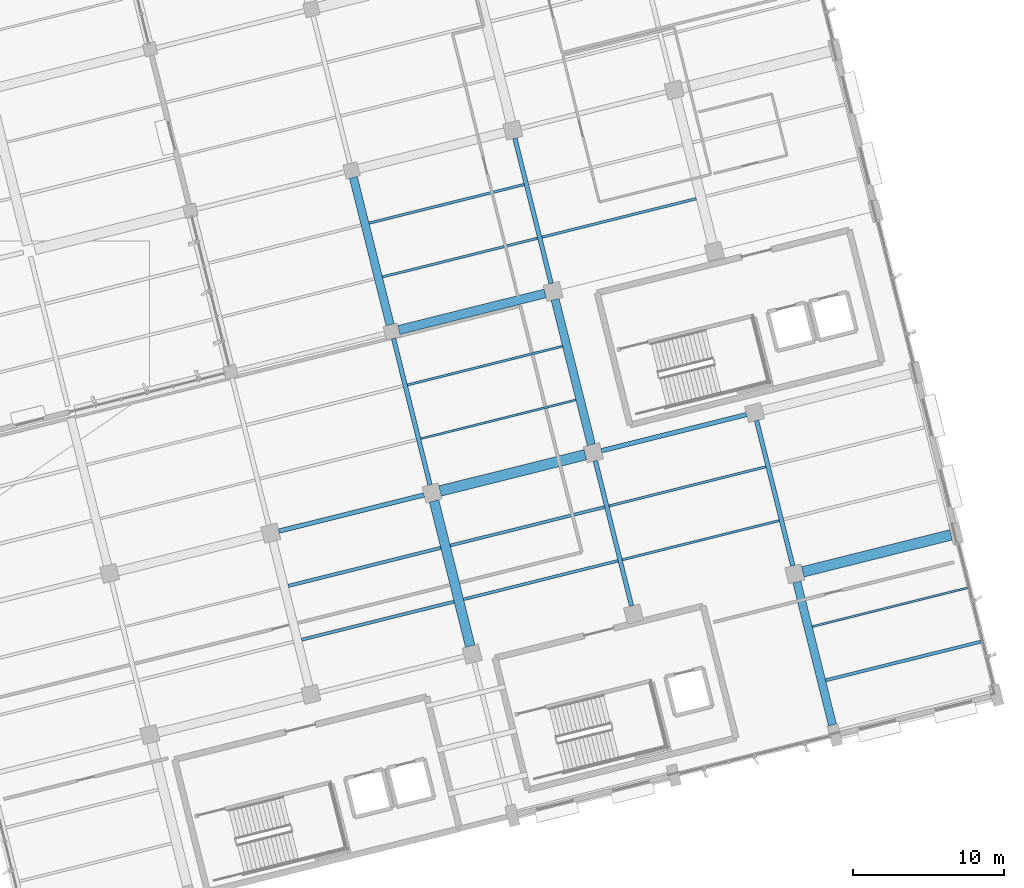
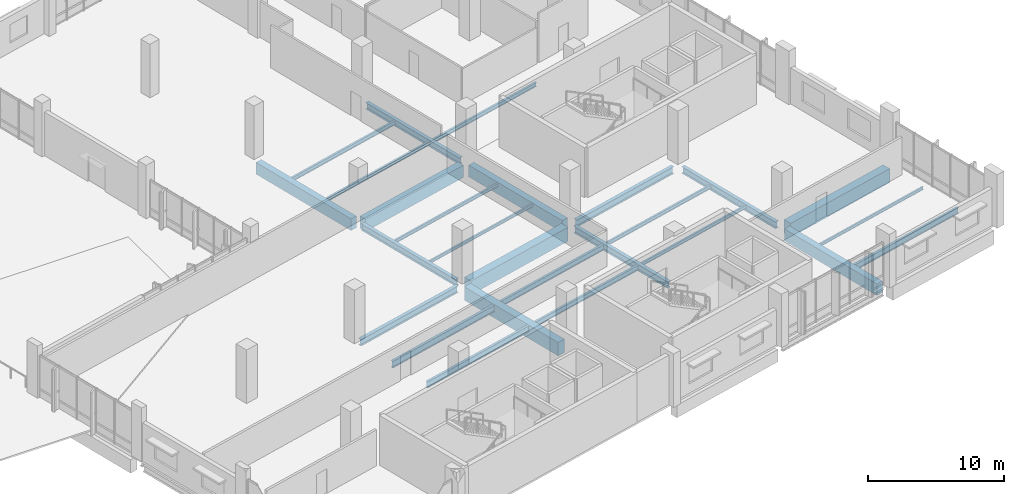
# One storey, part 78 of 137: 26 beams.
"""IFC4 building model written with IfcOpenShell, lengths in metres."""

from ifc_helpers import new_model, si_unit, direction, frame, origin, origin_2d, place, context, subcontext, project, spatial, rectangle, i_section, extrude, material, material_profile, profile_set, type_object, element, save


model = new_model("IFC4")

# Units and contexts
model_context = context("Model", 3, precision=1e-05, world=origin(), true_north=direction((0.0, 1.0)))
body_context = subcontext(model_context, "Body", "Model", "MODEL_VIEW")
ifc_project = project(units=[si_unit("LENGTHUNIT", "METRE"), si_unit("AREAUNIT", "SQUARE_METRE"), si_unit("VOLUMEUNIT", "CUBIC_METRE"), si_unit("PLANEANGLEUNIT", "RADIAN"), si_unit("MASSUNIT", "GRAM", prefix="KILO")], contexts=[model_context])

# Site, building, storey
site_placement = place(None, origin())
site = spatial("IfcSite", under=ifc_project, at=site_placement, CompositionType="ELEMENT")
building_placement = place(site_placement, origin())
building = spatial("IfcBuilding", under=site, at=building_placement, Name="Khorjan Park Terminus", CompositionType="ELEMENT")
storey_placement = place(building_placement, frame((0.0, 0.0, 11.4)))
storey = spatial("IfcBuildingStorey", under=building, at=storey_placement, Name="L02", CompositionType="ELEMENT", Elevation=11.4)

# Beams
ifc_material_1 = material(Name="Steel S355", Category="steel")
ifc_material_profile_1 = material_profile(ifc_material_1, i_section(OverallWidth=0.3, OverallDepth=0.59, WebThickness=0.013, FlangeThickness=0.025, FilletRadius=0.027, at=origin_2d()), Name="HEA 600")
ifc_profile_set_1 = profile_set([ifc_material_profile_1], Name="Steel S355")
beam_type_1 = type_object("IfcBeamType", Name="BM-HEA600", PredefinedType="BEAM", material=ifc_profile_set_1)
beam_1_placement = place(storey_placement, frame((182.553, 28.8006, -0.645), z_axis=(0.970294856426, 0.241925384349, 0.0), x_axis=(-0.241925384349, 0.970294856426, 0.0)))
element("IfcBeam", 1, at=beam_1_placement, inside=storey, type_object=beam_type_1, Name="Primary skew-grid floor girder SB-A60 (L02)", PredefinedType="BEAM", context=body_context, shape_type="SweptSolid", body=[
    extrude(i_section(OverallWidth=0.3, OverallDepth=0.59, WebThickness=0.013, FlangeThickness=0.025, FilletRadius=0.027, at=origin_2d()), origin(), (0.0, 0.0, 1.0), 9.9101),
])
beam_2_placement = place(storey_placement, frame((192.5656, 31.8587, -0.645), z_axis=(-0.241922892916, 0.970295477616, 0.0), x_axis=(-0.970295477616, -0.241922892916, 0.0)))
element("IfcBeam", 2, at=beam_2_placement, inside=storey, type_object=beam_type_1, Name="Primary skew-grid floor girder SB-A60 (L02)", PredefinedType="BEAM", context=body_context, shape_type="SweptSolid", body=[
    extrude(i_section(OverallWidth=0.3, OverallDepth=0.59, WebThickness=0.013, FlangeThickness=0.025, FilletRadius=0.027, at=origin_2d()), origin(), (0.0, 0.0, 1.0), 9.985),
])
beam_3_placement = place(storey_placement, frame((200.5777, 45.1931, -0.635), z_axis=(-0.241915884168, 0.970297225074, 0.0), x_axis=(-0.970297225074, -0.241915884168, 0.0)))
element("IfcBeam", 3, at=beam_3_placement, inside=storey, type_object=beam_type_1, Name="Primary skew-grid floor girder SB-A60 (L02)", PredefinedType="BEAM", context=body_context, shape_type="SweptSolid", body=[
    extrude(i_section(OverallWidth=0.3, OverallDepth=0.59, WebThickness=0.013, FlangeThickness=0.025, FilletRadius=0.027, at=origin_2d()), origin(), (0.0, 0.0, 1.0), 9.9101),
])
ifc_material_profile_2 = material_profile(ifc_material_1, i_section(OverallWidth=0.3, OverallDepth=0.64, WebThickness=0.0135, FlangeThickness=0.026, FilletRadius=0.027, at=origin_2d()), Name="HEA 650")
ifc_profile_set_2 = profile_set([ifc_material_profile_2], Name="Steel S355")
beam_type_2 = type_object("IfcBeamType", Name="BM-HEA650", PredefinedType="BEAM", material=ifc_profile_set_2)
beam_4_placement = place(storey_placement, frame((203.8995, 34.1229, -0.67), z_axis=(0.970294856426, 0.241925384349, 0.0), x_axis=(-0.241925384349, 0.970294856426, 0.0)))
element("IfcBeam", 4, at=beam_4_placement, inside=storey, type_object=beam_type_2, Name="Primary skew-grid floor girder SB-A65 (L02)", PredefinedType="BEAM", context=body_context, shape_type="SweptSolid", body=[
    extrude(i_section(OverallWidth=0.3, OverallDepth=0.64, WebThickness=0.0135, FlangeThickness=0.026, FilletRadius=0.027, at=origin_2d()), origin(), (0.0, 0.0, 1.0), 9.9101),
])
ifc_material_profile_3 = material_profile(ifc_material_1, i_section(OverallWidth=0.3, OverallDepth=0.6, WebThickness=0.0155, FlangeThickness=0.03, FilletRadius=0.027, at=origin_2d()), Name="HEB 600")
ifc_profile_set_3 = profile_set([ifc_material_profile_3], Name="Steel S355")
beam_type_3 = type_object("IfcBeamType", Name="BM-HEB600", PredefinedType="BEAM", material=ifc_profile_set_3)
beam_5_placement = place(storey_placement, frame((205.9, 23.8466, -0.65), z_axis=(-0.241915884168, 0.970297225074, 0.0), x_axis=(-0.970297225074, -0.241915884168, 0.0)))
element("IfcBeam", 5, at=beam_5_placement, inside=storey, type_object=beam_type_3, Name="Primary skew-grid floor girder SB-B60 (L02)", PredefinedType="BEAM", context=body_context, shape_type="SweptSolid", body=[
    extrude(i_section(OverallWidth=0.3, OverallDepth=0.6, WebThickness=0.0155, FlangeThickness=0.03, FilletRadius=0.027, at=origin_2d()), origin(), (0.0, 0.0, 1.0), 9.9101),
])
beam_6_placement = place(storey_placement, frame((216.5733, 26.5078, -0.65), z_axis=(-0.24192775306, 0.970294265828, 0.0), x_axis=(-0.970294265828, -0.24192775306, 0.0)))
element("IfcBeam", 6, at=beam_6_placement, inside=storey, type_object=beam_type_3, Name="Primary skew-grid floor girder SB-B60 (L02)", PredefinedType="BEAM", context=body_context, shape_type="SweptSolid", body=[
    extrude(i_section(OverallWidth=0.3, OverallDepth=0.6, WebThickness=0.0155, FlangeThickness=0.03, FilletRadius=0.027, at=origin_2d()), origin(), (0.0, 0.0, 1.0), 9.91),
])
ifc_material_2 = material(Name="Concrete C40/50", Category="concrete")
ifc_material_profile_4 = material_profile(ifc_material_2, rectangle(XDim=0.55, YDim=1.05, at=origin_2d()), Name="RC 550x1050")
ifc_profile_set_4 = profile_set([ifc_material_profile_4], Name="Concrete C40/50")
beam_type_4 = type_object("IfcBeamType", Name="BM-RC550x1050", PredefinedType="BEAM", material=ifc_profile_set_4)
beam_7_placement = place(storey_placement, frame((189.9226, 42.4592, -0.865), z_axis=(-0.24191810525, 0.970296671309, 0.0), x_axis=(-0.970296671309, -0.24191810525, 0.0)))
element("IfcBeam", 7, at=beam_7_placement, inside=storey, type_object=beam_type_4, Name="Primary skew-grid floor girder GB-105 (L02)", PredefinedType="BEAM", context=body_context, shape_type="SweptSolid", body=[
    extrude(rectangle(XDim=0.55, YDim=1.05, at=origin_2d()), origin(), (0.0, 0.0, 1.0), 10.06),
])
beam_8_placement = place(storey_placement, frame((203.2389, 34.5199, -0.875), z_axis=(-0.24192775306, 0.970294265828, 0.0), x_axis=(-0.970294265828, -0.24192775306, 0.0)))
element("IfcBeam", 8, at=beam_8_placement, inside=storey, type_object=beam_type_4, Name="Primary skew-grid floor girder GB-105 (L02)", PredefinedType="BEAM", context=body_context, shape_type="SweptSolid", body=[
    extrude(rectangle(XDim=0.55, YDim=1.05, at=origin_2d()), origin(), (0.0, 0.0, 1.0), 9.91),
])
beam_9_placement = place(storey_placement, frame((219.1981, 15.9801, -0.875), z_axis=(-0.241918404883, 0.970296596603, 0.0), x_axis=(-0.970296596603, -0.241918404883, 0.0)))
element("IfcBeam", 9, at=beam_9_placement, inside=storey, type_object=beam_type_4, Name="Primary skew-grid floor girder GB-105 (L02)", PredefinedType="BEAM", context=body_context, shape_type="SweptSolid", body=[
    extrude(rectangle(XDim=0.55, YDim=1.05, at=origin_2d()), origin(), (0.0, 0.0, 1.0), 9.7599),
])
ifc_material_profile_5 = material_profile(ifc_material_2, rectangle(XDim=0.6, YDim=1.1, at=origin_2d()), Name="RC 600x1100")
ifc_profile_set_5 = profile_set([ifc_material_profile_5], Name="Concrete C40/50")
beam_type_5 = type_object("IfcBeamType", Name="BM-RC600x1100", PredefinedType="BEAM", material=ifc_profile_set_5)
beam_10_placement = place(storey_placement, frame((190.4924, 42.1169, -0.9), z_axis=(0.970295477616, 0.241922892916, 0.0), x_axis=(-0.241922892916, 0.970295477616, 0.0)))
element("IfcBeam", 10, at=beam_10_placement, inside=storey, type_object=beam_type_5, Name="Primary skew-grid floor girder GB-11 (L02)", PredefinedType="BEAM", context=body_context, shape_type="SweptSolid", body=[
    extrude(rectangle(XDim=0.6, YDim=1.1, at=origin_2d()), origin(), (0.0, 0.0, 1.0), 9.985),
])
ifc_material_profile_6 = material_profile(ifc_material_2, rectangle(XDim=0.65, YDim=1.2, at=origin_2d()), Name="RC 650x1200")
ifc_profile_set_6 = profile_set([ifc_material_profile_6], Name="Concrete C40/50")
beam_type_6 = type_object("IfcBeamType", Name="BM-RC650x1200", PredefinedType="BEAM", material=ifc_profile_set_6)
beam_11_placement = place(storey_placement, frame((195.2268, 21.1855, -0.95), z_axis=(-0.24192775306, 0.970294265828, 0.0), x_axis=(-0.970294265828, -0.24192775306, 0.0)))
element("IfcBeam", 11, at=beam_11_placement, inside=storey, type_object=beam_type_6, Name="Primary skew-grid floor girder GB-12 (L02)", PredefinedType="BEAM", context=body_context, shape_type="SweptSolid", body=[
    extrude(rectangle(XDim=0.65, YDim=1.2, at=origin_2d()), origin(), (0.0, 0.0, 1.0), 9.91),
])
ifc_material_profile_7 = material_profile(ifc_material_2, rectangle(XDim=0.7, YDim=1.25, at=origin_2d()), Name="RC 700x1250")
ifc_profile_set_7 = profile_set([ifc_material_profile_7], Name="Concrete C40/50")
beam_type_7 = type_object("IfcBeamType", Name="BM-RC700x1250", PredefinedType="BEAM", material=ifc_profile_set_7)
beam_12_placement = place(storey_placement, frame((217.2339, 26.1108, -0.975), z_axis=(0.970296490369, 0.241918830968, 0.0), x_axis=(-0.241918830968, 0.970296490369, 0.0)))
element("IfcBeam", 12, at=beam_12_placement, inside=storey, type_object=beam_type_7, Name="Primary skew-grid floor girder GB-125 (L02)", PredefinedType="BEAM", context=body_context, shape_type="SweptSolid", body=[
    extrude(rectangle(XDim=0.7, YDim=1.25, at=origin_2d()), origin(), (0.0, 0.0, 1.0), 10.11),
])
beam_13_placement = place(storey_placement, frame((193.2263, 31.4618, -0.975), z_axis=(0.970296634521, 0.241918252798, 0.0), x_axis=(-0.241918252798, 0.970296634521, 0.0)))
element("IfcBeam", 13, at=beam_13_placement, inside=storey, type_object=beam_type_7, Name="Primary skew-grid floor girder GB-125 (L02)", PredefinedType="BEAM", context=body_context, shape_type="SweptSolid", body=[
    extrude(rectangle(XDim=0.7, YDim=1.25, at=origin_2d()), origin(), (0.0, 0.0, 1.0), 9.91),
])
ifc_material_profile_8 = material_profile(ifc_material_1, i_section(OverallWidth=0.135, OverallDepth=0.27, WebThickness=0.0066, FlangeThickness=0.0102, FilletRadius=0.015, at=origin_2d()), Name="IPE 270")
ifc_profile_set_8 = profile_set([ifc_material_profile_8], Name="Steel S355")
beam_type_8 = type_object("IfcBeamType", Name="JS-IPE270", PredefinedType="JOIST", material=ifc_profile_set_8)
beam_14_placement = place(storey_placement, frame((191.956, 34.924, -0.485), z_axis=(0.970295832192, 0.241921470792, 0.0), x_axis=(-0.241921470792, 0.970295832192, 0.0)))
element("IfcBeam", 14, at=beam_14_placement, inside=storey, type_object=beam_type_8, Name="Secondary composite floor joist SJ-27 (L02)", PredefinedType="JOIST", context=body_context, shape_type="SweptSolid", body=[
    extrude(i_section(OverallWidth=0.135, OverallDepth=0.27, WebThickness=0.0066, FlangeThickness=0.0102, FilletRadius=0.015, at=origin_2d()), origin(), (0.0, 0.0, 1.0), 10.5749),
])
beam_15_placement = place(storey_placement, frame((217.859, 22.4877, -0.485), z_axis=(0.970296385626, 0.241919251074, 0.0), x_axis=(-0.241919251074, 0.970296385626, 0.0)))
element("IfcBeam", 15, at=beam_15_placement, inside=storey, type_object=beam_type_8, Name="Secondary composite floor joist SJ-27 (L02)", PredefinedType="JOIST", context=body_context, shape_type="SweptSolid", body=[
    extrude(i_section(OverallWidth=0.135, OverallDepth=0.27, WebThickness=0.0066, FlangeThickness=0.0102, FilletRadius=0.015, at=origin_2d()), origin(), (0.0, 0.0, 1.0), 10.575),
])
ifc_material_profile_9 = material_profile(ifc_material_1, i_section(OverallWidth=0.15, OverallDepth=0.3, WebThickness=0.0071, FlangeThickness=0.0107, FilletRadius=0.015, at=origin_2d()), Name="IPE 300")
ifc_profile_set_9 = profile_set([ifc_material_profile_9], Name="Steel S355")
beam_type_9 = type_object("IfcBeamType", Name="JS-IPE300", PredefinedType="JOIST", material=ifc_profile_set_9)
beam_16_placement = place(storey_placement, frame((191.0689, 38.4817, -0.5), z_axis=(0.970296385626, 0.241919251074, 0.0), x_axis=(-0.241919251074, 0.970296385626, 0.0)))
element("IfcBeam", 16, at=beam_16_placement, inside=storey, type_object=beam_type_9, Name="Secondary composite floor joist SJ-30 (L02)", PredefinedType="JOIST", context=body_context, shape_type="SweptSolid", body=[
    extrude(i_section(OverallWidth=0.15, OverallDepth=0.3, WebThickness=0.0071, FlangeThickness=0.0107, FilletRadius=0.015, at=origin_2d()), origin(), (0.0, 0.0, 1.0), 10.575),
])
beam_17_placement = place(storey_placement, frame((205.2904, 26.9119, -0.5), z_axis=(0.970294591155, 0.241926448278, 0.0), x_axis=(-0.241926448278, 0.970294591155, 0.0)))
element("IfcBeam", 17, at=beam_17_placement, inside=storey, type_object=beam_type_9, Name="Secondary composite floor joist SJ-30 (L02)", PredefinedType="JOIST", context=body_context, shape_type="SweptSolid", body=[
    extrude(i_section(OverallWidth=0.15, OverallDepth=0.3, WebThickness=0.0071, FlangeThickness=0.0107, FilletRadius=0.015, at=origin_2d()), origin(), (0.0, 0.0, 1.0), 10.6999),
])
ifc_material_profile_10 = material_profile(ifc_material_1, i_section(OverallWidth=0.16, OverallDepth=0.33, WebThickness=0.0075, FlangeThickness=0.0115, FilletRadius=0.018, at=origin_2d()), Name="IPE 330")
ifc_profile_set_10 = profile_set([ifc_material_profile_10], Name="Steel S355")
beam_type_10 = type_object("IfcBeamType", Name="JS-IPE330", PredefinedType="JOIST", material=ifc_profile_set_10)
beam_18_placement = place(storey_placement, frame((189.4161, 45.6275, -0.505), z_axis=(0.970296385626, 0.241919251074, 0.0), x_axis=(-0.241919251074, 0.970296385626, 0.0)))
element("IfcBeam", 18, at=beam_18_placement, inside=storey, type_object=beam_type_10, Name="Secondary composite floor joist SJ-33 (L02)", PredefinedType="JOIST", context=body_context, shape_type="SweptSolid", body=[
    extrude(i_section(OverallWidth=0.16, OverallDepth=0.33, WebThickness=0.0075, FlangeThickness=0.0115, FilletRadius=0.018, at=origin_2d()), origin(), (0.0, 0.0, 1.0), 10.575),
])
beam_19_placement = place(storey_placement, frame((204.4033, 30.4696, -0.515), z_axis=(0.970297331913, 0.241915455651, 0.0), x_axis=(-0.241915455651, 0.970297331913, 0.0)))
element("IfcBeam", 19, at=beam_19_placement, inside=storey, type_object=beam_type_10, Name="Secondary composite floor joist SJ-33 (L02)", PredefinedType="JOIST", context=body_context, shape_type="SweptSolid", body=[
    extrude(i_section(OverallWidth=0.16, OverallDepth=0.33, WebThickness=0.0075, FlangeThickness=0.0115, FilletRadius=0.018, at=origin_2d()), origin(), (0.0, 0.0, 1.0), 10.7),
])
ifc_material_profile_11 = material_profile(ifc_material_1, i_section(OverallWidth=0.17, OverallDepth=0.36, WebThickness=0.008, FlangeThickness=0.0127, FilletRadius=0.018, at=origin_2d()), Name="IPE 360")
ifc_profile_set_11 = profile_set([ifc_material_profile_11], Name="Steel S355")
beam_type_11 = type_object("IfcBeamType", Name="JS-IPE360", PredefinedType="JOIST", material=ifc_profile_set_11)
beam_20_placement = place(storey_placement, frame((188.5291, 49.1852, -0.52), z_axis=(0.970296385626, 0.241919251074, 0.0), x_axis=(-0.241919251074, 0.970296385626, 0.0)))
element("IfcBeam", 20, at=beam_20_placement, inside=storey, type_object=beam_type_11, Name="Secondary composite floor joist SJ-36 (L02)", PredefinedType="JOIST", context=body_context, shape_type="SweptSolid", body=[
    extrude(i_section(OverallWidth=0.17, OverallDepth=0.36, WebThickness=0.008, FlangeThickness=0.0127, FilletRadius=0.018, at=origin_2d()), origin(), (0.0, 0.0, 1.0), 10.575),
])
beam_21_placement = place(storey_placement, frame((199.9681, 48.2584, -0.52), z_axis=(0.970296002015, 0.241920789668, 0.0), x_axis=(-0.241920789668, 0.970296002015, 0.0)))
element("IfcBeam", 21, at=beam_21_placement, inside=storey, type_object=beam_type_11, Name="Secondary composite floor joist SJ-36 (L02)", PredefinedType="JOIST", context=body_context, shape_type="SweptSolid", body=[
    extrude(i_section(OverallWidth=0.17, OverallDepth=0.36, WebThickness=0.008, FlangeThickness=0.0127, FilletRadius=0.018, at=origin_2d()), origin(), (0.0, 0.0, 1.0), 10.5249),
])
ifc_material_profile_12 = material_profile(ifc_material_1, i_section(OverallWidth=0.19, OverallDepth=0.45, WebThickness=0.0094, FlangeThickness=0.0146, FilletRadius=0.021, at=origin_2d()), Name="IPE 450")
ifc_profile_set_12 = profile_set([ifc_material_profile_12], Name="Steel S355")
beam_type_12 = type_object("IfcBeamType", Name="JS-IPE450", PredefinedType="JOIST", material=ifc_profile_set_12)
beam_22_placement = place(storey_placement, frame((194.7869, 24.2931, -0.575), z_axis=(0.970296558074, 0.241918559415, 0.0), x_axis=(-0.241918559415, 0.970296558074, 0.0)))
element("IfcBeam", 22, at=beam_22_placement, inside=storey, type_object=beam_type_12, Name="Secondary composite floor joist SJ-45 (L02)", PredefinedType="JOIST", context=body_context, shape_type="SweptSolid", body=[
    extrude(i_section(OverallWidth=0.19, OverallDepth=0.45, WebThickness=0.0094, FlangeThickness=0.0146, FilletRadius=0.021, at=origin_2d()), origin(), (0.0, 0.0, 1.0), 10.525),
])
ifc_material_profile_13 = material_profile(ifc_material_1, i_section(OverallWidth=0.2, OverallDepth=0.5, WebThickness=0.0102, FlangeThickness=0.016, FilletRadius=0.021, at=origin_2d()), Name="IPE 500")
ifc_profile_set_13 = profile_set([ifc_material_profile_13], Name="Steel S355")
beam_type_13 = type_object("IfcBeamType", Name="JS-IPE500", PredefinedType="JOIST", material=ifc_profile_set_13)
beam_23_placement = place(storey_placement, frame((193.8999, 27.8508, -0.6), z_axis=(0.970296002015, 0.241920789668, 0.0), x_axis=(-0.241920789668, 0.970296002015, 0.0)))
element("IfcBeam", 23, at=beam_23_placement, inside=storey, type_object=beam_type_13, Name="Secondary composite floor joist SJ-50 (L02)", PredefinedType="JOIST", context=body_context, shape_type="SweptSolid", body=[
    extrude(i_section(OverallWidth=0.2, OverallDepth=0.5, WebThickness=0.0102, FlangeThickness=0.016, FilletRadius=0.021, at=origin_2d()), origin(), (0.0, 0.0, 1.0), 10.5249),
])
ifc_material_profile_14 = material_profile(ifc_material_1, i_section(OverallWidth=0.21, OverallDepth=0.55, WebThickness=0.0111, FlangeThickness=0.0172, FilletRadius=0.024, at=origin_2d()), Name="IPE 550")
ifc_profile_set_14 = profile_set([ifc_material_profile_14], Name="Steel S355")
beam_type_14 = type_object("IfcBeamType", Name="JS-IPE550", PredefinedType="JOIST", material=ifc_profile_set_14)
beam_24_placement = place(storey_placement, frame((184.0651, 21.6198, -0.625), z_axis=(0.970295586552, 0.241922456002, 0.0), x_axis=(-0.241922456002, 0.970295586552, 0.0)))
element("IfcBeam", 24, at=beam_24_placement, inside=storey, type_object=beam_type_14, Name="Secondary composite floor joist SJ-55 (L02)", PredefinedType="JOIST", context=body_context, shape_type="SweptSolid", body=[
    extrude(i_section(OverallWidth=0.21, OverallDepth=0.55, WebThickness=0.0111, FlangeThickness=0.0172, FilletRadius=0.024, at=origin_2d()), origin(), (0.0, 0.0, 1.0), 10.4),
])
beam_25_placement = place(storey_placement, frame((218.746, 18.93, -0.625), z_axis=(0.970296385626, 0.241919251074, 0.0), x_axis=(-0.241919251074, 0.970296385626, 0.0)))
element("IfcBeam", 25, at=beam_25_placement, inside=storey, type_object=beam_type_14, Name="Secondary composite floor joist SJ-55 (L02)", PredefinedType="JOIST", context=body_context, shape_type="SweptSolid", body=[
    extrude(i_section(OverallWidth=0.21, OverallDepth=0.55, WebThickness=0.0111, FlangeThickness=0.0172, FilletRadius=0.024, at=origin_2d()), origin(), (0.0, 0.0, 1.0), 10.575),
])
ifc_material_profile_15 = material_profile(ifc_material_1, i_section(OverallWidth=0.22, OverallDepth=0.6, WebThickness=0.012, FlangeThickness=0.019, FilletRadius=0.024, at=origin_2d()), Name="IPE 600")
ifc_profile_set_15 = profile_set([ifc_material_profile_15], Name="Steel S355")
beam_type_15 = type_object("IfcBeamType", Name="JS-IPE600", PredefinedType="JOIST", material=ifc_profile_set_15)
beam_26_placement = place(storey_placement, frame((183.1781, 25.1775, -0.65), z_axis=(0.970295586552, 0.241922456002, 0.0), x_axis=(-0.241922456002, 0.970295586552, 0.0)))
element("IfcBeam", 26, at=beam_26_placement, inside=storey, type_object=beam_type_15, Name="Secondary composite floor joist SJ-60 (L02)", PredefinedType="JOIST", context=body_context, shape_type="SweptSolid", body=[
    extrude(i_section(OverallWidth=0.22, OverallDepth=0.6, WebThickness=0.012, FlangeThickness=0.019, FilletRadius=0.024, at=origin_2d()), origin(), (0.0, 0.0, 1.0), 10.4),
])

save(model, "model.ifc")
